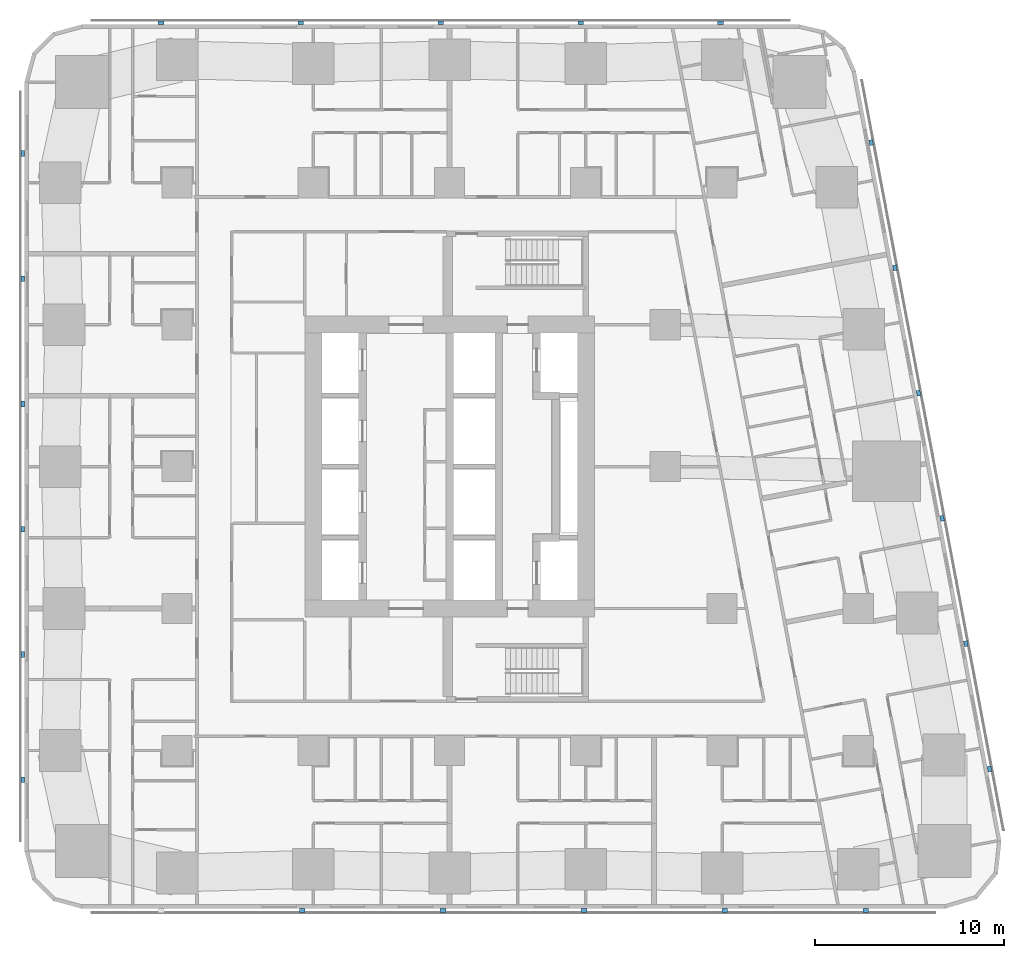
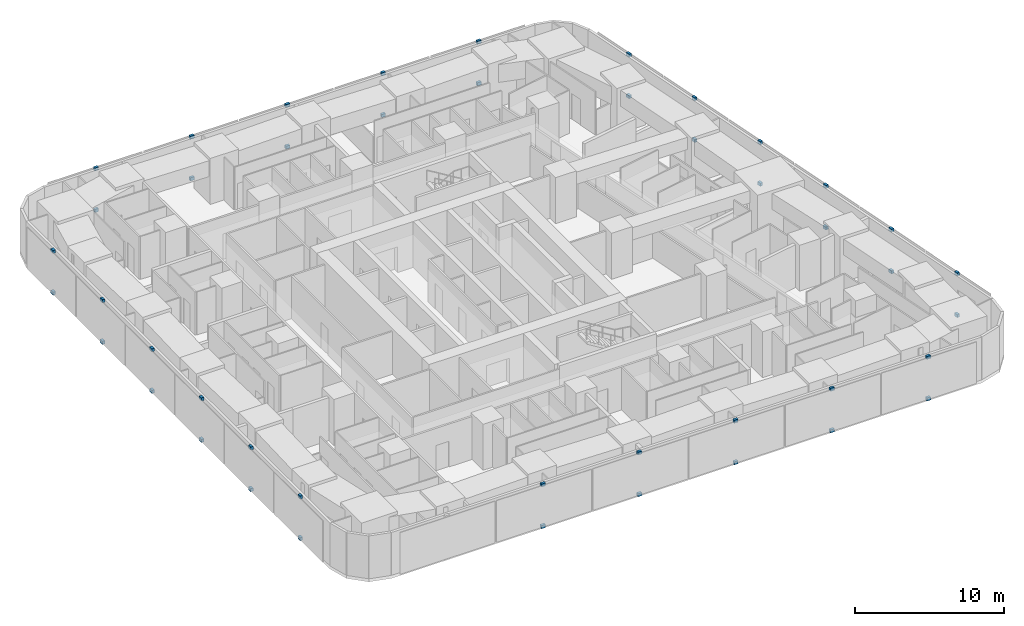
# One storey, part 11 of 15: 44 discrete accessories.
"""IFC4 building model written with IfcOpenShell, lengths in metres."""

from ifc_helpers import new_model, si_unit, direction, frame, origin, origin_2d, place, context, subcontext, project, spatial, rectangle, extrude, material, type_object, element, save


model = new_model("IFC4")

# Units and contexts
model_context = context("Model", 3, precision=1e-05, world=origin(), true_north=direction((0.0, 1.0)))
body_context = subcontext(model_context, "Body", "Model", "MODEL_VIEW")
ifc_project = project(units=[si_unit("LENGTHUNIT", "METRE"), si_unit("AREAUNIT", "SQUARE_METRE"), si_unit("VOLUMEUNIT", "CUBIC_METRE"), si_unit("PLANEANGLEUNIT", "RADIAN"), si_unit("MASSUNIT", "GRAM", prefix="KILO")], contexts=[model_context])

# Site, building, storey
site_placement = place(None, origin())
site = spatial("IfcSite", under=ifc_project, at=site_placement, CompositionType="ELEMENT")
building_placement = place(site_placement, origin())
building = spatial("IfcBuilding", under=site, at=building_placement, Name="Sheger Commons Tower", CompositionType="ELEMENT")
storey_placement = place(building_placement, frame((0.0, 0.0, 100.39990234375)))
storey = spatial("IfcBuildingStorey", under=building, at=storey_placement, Name="L25", CompositionType="ELEMENT", Elevation=100.39990234375)

# Discrete accessories
ifc_material = material(Name="Black painted steel bracket", Category="steel")
discrete_accessory_type = type_object("IfcDiscreteAccessoryType", Name="SCREEN BRACKET 300x200x250", PredefinedType="BRACKET", material=ifc_material)
for number, where, z_axis, x_axis, name in (
    (1, (13.81396484375, -0.949951171875, -0.099853515625), (0.0, 0.0, 1.0), (1.0, 0.0, 0.0), "Solar screen foot bracket"),
    (2, (13.81396484375, -0.949951171875, 3.300048828125), (0.0, 0.0, 1.0), (1.0, 0.0, 0.0), "Solar screen head bracket"),
    (3, (21.257080078125, -0.949951171875, -0.099853515625), (0.0, 0.0, 1.0), (1.0, 0.0, 0.0), "Solar screen foot bracket"),
    (4, (21.257080078125, -0.949951171875, 3.300048828125), (0.0, 0.0, 1.0), (1.0, 0.0, 0.0), "Solar screen head bracket"),
    (5, (28.698974609375, -0.949951171875, -0.099853515625), (0.0, 0.0, 1.0), (1.0, 0.0, 0.0), "Solar screen foot bracket"),
    (6, (28.698974609375, -0.949951171875, 3.300048828125), (0.0, 0.0, 1.0), (1.0, 0.0, 0.0), "Solar screen head bracket"),
    (7, (36.14208984375, -0.949951171875, -0.099853515625), (0.0, 0.0, 1.0), (1.0, 0.0, 0.0), "Solar screen foot bracket"),
    (8, (36.14208984375, -0.949951171875, 3.300048828125), (0.0, 0.0, 1.0), (1.0, 0.0, 0.0), "Solar screen head bracket"),
    (9, (43.5849609375, -0.949951171875, -0.099853515625), (0.0, 0.0, 1.0), (1.0, 0.0, 0.0), "Solar screen foot bracket"),
    (10, (43.5849609375, -0.949951171875, 3.300048828125), (0.0, 0.0, 1.0), (1.0, 0.0, 0.0), "Solar screen head bracket"),
    (11, (50.134033203125, 6.527099609375, -0.099853515625), (0.0, 0.0, 1.0), (-0.185615165645, 0.982622516678, 0.0), "Solar screen foot bracket"),
    (12, (50.134033203125, 6.527099609375, 3.300048828125), (0.0, 0.0, 1.0), (-0.185615165645, 0.982622516678, 0.0), "Solar screen head bracket"),
    (13, (48.884033203125, 13.14599609375, -0.099853515625), (0.0, 0.0, 1.0), (-0.185615165645, 0.982622516678, 0.0), "Solar screen foot bracket"),
    (14, (48.884033203125, 13.14599609375, 3.300048828125), (0.0, 0.0, 1.0), (-0.185615165645, 0.982622516678, 0.0), "Solar screen head bracket"),
    (15, (47.633056640625, 19.76611328125, -0.099853515625), (0.0, 0.0, 1.0), (-0.185615165645, 0.982622516678, 0.0), "Solar screen foot bracket"),
    (16, (47.633056640625, 19.76611328125, 3.300048828125), (0.0, 0.0, 1.0), (-0.185615165645, 0.982622516678, 0.0), "Solar screen head bracket"),
    (17, (46.383056640625, 26.385009765625, -0.099853515625), (0.0, 0.0, 1.0), (-0.185615165645, 0.982622516678, 0.0), "Solar screen foot bracket"),
    (18, (46.383056640625, 26.385009765625, 3.300048828125), (0.0, 0.0, 1.0), (-0.185615165645, 0.982622516678, 0.0), "Solar screen head bracket"),
    (19, (45.133056640625, 33.0048828125, -0.099853515625), (0.0, 0.0, 1.0), (-0.185615165645, 0.982622516678, 0.0), "Solar screen foot bracket"),
    (20, (45.133056640625, 33.0048828125, 3.300048828125), (0.0, 0.0, 1.0), (-0.185615165645, 0.982622516678, 0.0), "Solar screen head bracket"),
    (21, (43.882080078125, 39.6240234375, -0.099853515625), (0.0, 0.0, 1.0), (-0.185615165645, 0.982622516678, 0.0), "Solar screen foot bracket"),
    (22, (43.882080078125, 39.6240234375, 3.300048828125), (0.0, 0.0, 1.0), (-0.185615165645, 0.982622516678, 0.0), "Solar screen head bracket"),
    (23, (35.9208984375, 45.949951171875, -0.099853515625), (0.0, 0.0, 1.0), (-1.0, 0.0, 0.0), "Solar screen foot bracket"),
    (24, (35.9208984375, 45.949951171875, 3.300048828125), (0.0, 0.0, 1.0), (-1.0, 0.0, 0.0), "Solar screen head bracket"),
    (25, (28.528076171875, 45.949951171875, -0.099853515625), (0.0, 0.0, 1.0), (-1.0, 0.0, 0.0), "Solar screen foot bracket"),
    (26, (28.528076171875, 45.949951171875, 3.300048828125), (0.0, 0.0, 1.0), (-1.0, 0.0, 0.0), "Solar screen head bracket"),
    (27, (21.134033203125, 45.949951171875, -0.099853515625), (0.0, 0.0, 1.0), (-1.0, 0.0, 0.0), "Solar screen foot bracket"),
    (28, (21.134033203125, 45.949951171875, 3.300048828125), (0.0, 0.0, 1.0), (-1.0, 0.0, 0.0), "Solar screen head bracket"),
    (29, (13.739990234375, 45.949951171875, -0.099853515625), (0.0, 0.0, 1.0), (-1.0, 0.0, 0.0), "Solar screen foot bracket"),
    (30, (13.739990234375, 45.949951171875, 3.300048828125), (0.0, 0.0, 1.0), (-1.0, 0.0, 0.0), "Solar screen head bracket"),
    (31, (6.346923828125, 45.949951171875, -0.099853515625), (0.0, 0.0, 1.0), (-1.0, 0.0, 0.0), "Solar screen foot bracket"),
    (32, (6.346923828125, 45.949951171875, 3.300048828125), (0.0, 0.0, 1.0), (-1.0, 0.0, 0.0), "Solar screen head bracket"),
    (33, (-0.949951171875, 39.0419921875, -0.099853515625), (0.0, 0.0, 1.0), (0.0, -1.0, 0.0), "Solar screen foot bracket"),
    (34, (-0.949951171875, 39.0419921875, 3.300048828125), (0.0, 0.0, 1.0), (0.0, -1.0, 0.0), "Solar screen head bracket"),
    (35, (-0.949951171875, 32.425048828125, -0.099853515625), (0.0, 0.0, 1.0), (0.0, -1.0, 0.0), "Solar screen foot bracket"),
    (36, (-0.949951171875, 32.425048828125, 3.300048828125), (0.0, 0.0, 1.0), (0.0, -1.0, 0.0), "Solar screen head bracket"),
    (37, (-0.949951171875, 25.80810546875, -0.099853515625), (0.0, 0.0, 1.0), (0.0, -1.0, 0.0), "Solar screen foot bracket"),
    (38, (-0.949951171875, 25.80810546875, 3.300048828125), (0.0, 0.0, 1.0), (0.0, -1.0, 0.0), "Solar screen head bracket"),
    (39, (-0.949951171875, 19.19189453125, -0.099853515625), (0.0, 0.0, 1.0), (0.0, -1.0, 0.0), "Solar screen foot bracket"),
    (40, (-0.949951171875, 19.19189453125, 3.300048828125), (0.0, 0.0, 1.0), (0.0, -1.0, 0.0), "Solar screen head bracket"),
    (41, (-0.949951171875, 12.574951171875, -0.099853515625), (0.0, 0.0, 1.0), (0.0, -1.0, 0.0), "Solar screen foot bracket"),
    (42, (-0.949951171875, 12.574951171875, 3.300048828125), (0.0, 0.0, 1.0), (0.0, -1.0, 0.0), "Solar screen head bracket"),
    (43, (-0.949951171875, 5.9580078125, -0.099853515625), (0.0, 0.0, 1.0), (0.0, -1.0, 0.0), "Solar screen foot bracket"),
    (44, (-0.949951171875, 5.9580078125, 3.300048828125), (0.0, 0.0, 1.0), (0.0, -1.0, 0.0), "Solar screen head bracket"),
):
    element("IfcDiscreteAccessory", number, at=place(storey_placement, frame(where, z_axis=z_axis, x_axis=x_axis)), inside=storey, type_object=discrete_accessory_type, Name=name, PredefinedType="BRACKET", context=body_context, shape_type="SweptSolid", body=[
        extrude(rectangle(XDim=0.300048828125, YDim=0.199951171875, at=origin_2d()), origin(), (0.0, 0.0, 1.0), 0.25),
    ])

save(model, "model.ifc")
